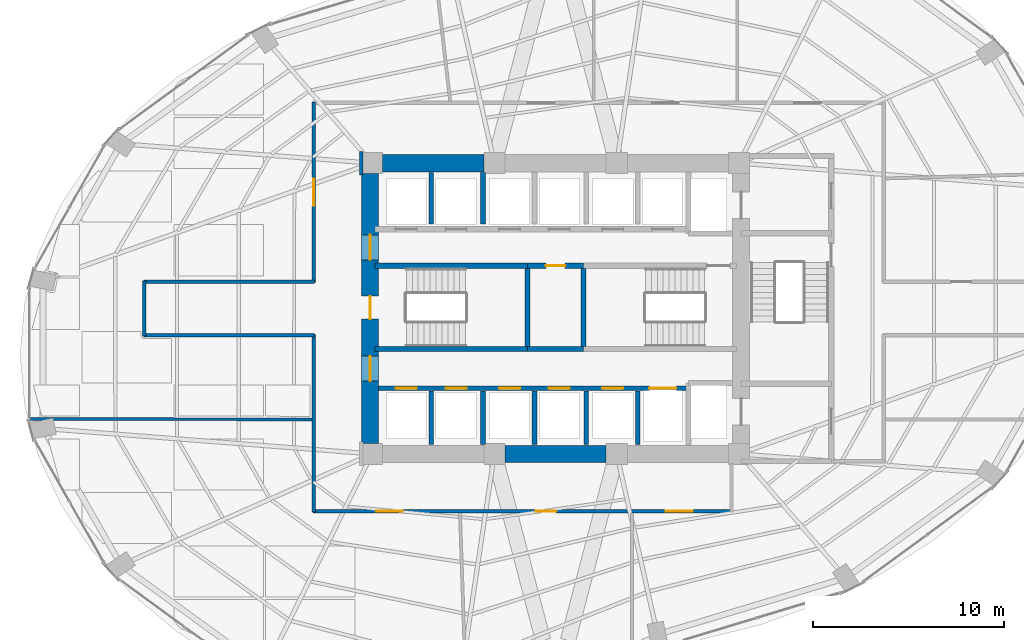
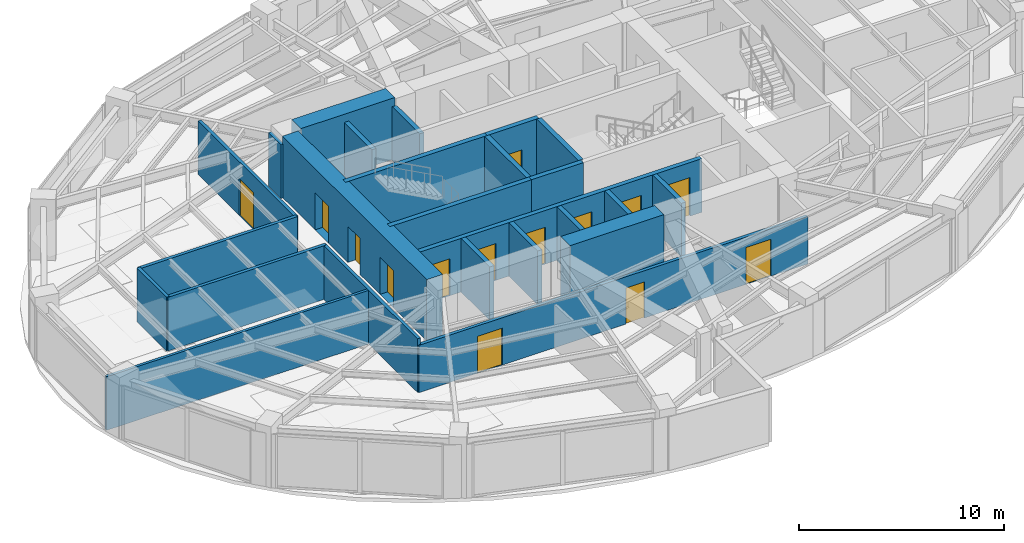
# One storey, part 20 of 24: 25 walls, 14 doors, 14 openings.
"""IFC4 building model written with IfcOpenShell, lengths in metres."""

from ifc_helpers import new_model, si_unit, direction, frame, frame_2d, origin, place, context, subcontext, project, spatial, rectangle, extrude, material, layer, layer_set, type_object, element, fill, save


model = new_model("IFC4")

# Units and contexts
model_context = context("Model", 3, precision=1e-05, world=origin(), true_north=direction((0.0, 1.0)))
body_context = subcontext(model_context, "Body", "Model", "MODEL_VIEW")
ifc_project = project(units=[si_unit("LENGTHUNIT", "METRE"), si_unit("AREAUNIT", "SQUARE_METRE"), si_unit("VOLUMEUNIT", "CUBIC_METRE"), si_unit("PLANEANGLEUNIT", "RADIAN"), si_unit("MASSUNIT", "GRAM", prefix="KILO")], contexts=[model_context])

# Site, building, storey
site_placement = place(None, origin())
site = spatial("IfcSite", under=ifc_project, at=site_placement, CompositionType="ELEMENT")
building_placement = place(site_placement, origin())
building = spatial("IfcBuilding", under=site, at=building_placement, Name="Lazwardi Medical Tower", CompositionType="ELEMENT")
storey_placement = place(building_placement, frame((0.0, 0.0, 72.6240234375)))
storey = spatial("IfcBuildingStorey", under=building, at=storey_placement, Name="L18", CompositionType="ELEMENT", Elevation=72.6240234375)

# Walls
ifc_material_1 = material(Name="Fire-rated gypsum board on steel stud", Category="steel")
ifc_layer_1 = layer(ifc_material_1, 0.179931640625)
ifc_layer_set_1 = layer_set([ifc_layer_1], Name="Fire-rated gypsum board on steel stud")
wall_type_1 = type_object("IfcWallType", Name="WL-COR-180", PredefinedType="PARTITIONING", material=ifc_layer_set_1)
wall_1_placement = place(storey_placement, frame((14.5, 26.56005859375, 0.0), z_axis=(0.0, 0.0, 1.0), x_axis=(0.0, 1.0, 0.0)))
element("IfcWall", 1, at=wall_1_placement, inside=storey, type_object=wall_type_1, Name="L18 Corridor partition 1", PredefinedType="PARTITIONING", context=body_context, shape_type="SweptSolid", body=[
    extrude(rectangle(XDim=2.8798828125, YDim=0.179931640625, at=frame_2d((1.43994140625, 0.0))), origin(), (0.0, 0.0, 1.0), 3.197998046875),
])
wall_2_placement = place(storey_placement, frame((14.4599609375, 29.39990234375, 0.0), z_axis=(0.0, 0.0, 1.0), x_axis=(1.0, 0.0, 0.0)))
element("IfcWall", 2, at=wall_2_placement, inside=storey, type_object=wall_type_1, Name="L18 Corridor partition 2", PredefinedType="PARTITIONING", context=body_context, shape_type="SweptSolid", body=[
    extrude(rectangle(XDim=8.929931640625, YDim=0.179931640625, at=frame_2d((4.46484375, 0.0))), origin(), (0.0, 0.0, 1.0), 3.197998046875),
])

# Wall, opening, door
wall_3_placement = place(storey_placement, frame((23.35009765625, 29.360107421875, 0.0), z_axis=(0.0, 0.0, 1.0), x_axis=(0.0, 1.0, 0.0)))
wall_3 = element("IfcWall", 3, at=wall_3_placement, inside=storey, type_object=wall_type_1, Name="L18 Corridor partition 3", PredefinedType="PARTITIONING", context=body_context, shape_type="SweptSolid", body=[
    extrude(rectangle(XDim=9.429931640625, YDim=0.179931640625, at=frame_2d((4.71484375, 0.0))), origin(), (0.0, 0.0, 1.0), 3.197998046875),
])
opening_1_placement = place(wall_3_placement, frame((4.014892578125, 0.0, 0.0)))
opening_1 = element("IfcOpeningElement", 4, at=opening_1_placement, cuts=wall_3, Name="Opening D-L18-013", PredefinedType="OPENING", context=body_context, shape_type="SweptSolid", body=[
    extrude(rectangle(XDim=1.39990234375, YDim=2.199951171875, at=frame_2d((0.699951171875, 1.10009765625))), frame((0.0, 0.099853515625, 0.0), z_axis=(0.0, -1.0, 0.0), x_axis=(1.0, 0.0, 0.0)), (0.0, 0.0, 1.0), 0.199951171875),
])
ifc_material_2 = material(Name="Anti-microbial laminate hospital leaf")
door_type_1 = type_object("IfcDoorType", Name="DR-BED-1400", OperationType="NOTDEFINED", PredefinedType="DOOR", material=ifc_material_2)
door_1_placement = place(opening_1_placement, origin())
door_1 = element("IfcDoor", 5, at=door_1_placement, inside=storey, type_object=door_type_1, Name="L18 Rehabilitation Gymnasium Door 08", OperationType="SINGLE_SWING_LEFT", OverallHeight=2.199951171875, OverallWidth=1.39990234375, PredefinedType="DOOR", context=body_context, shape_type="SweptSolid", body=[
    extrude(rectangle(XDim=1.39990234375, YDim=2.199951171875, at=frame_2d((0.699951171875, 1.10009765625))), frame((0.0, 0.02490234375, 0.0), z_axis=(0.0, -1.0, 0.0), x_axis=(1.0, 0.0, 0.0)), (0.0, 0.0, 1.0), 0.050048828125),
])
fill(opening_1, door_1)

# Wall
wall_4_placement = place(storey_placement, frame((25.830078125, 36.2099609375, 0.0), z_axis=(0.0, 0.0, 1.0), x_axis=(0.0, -1.0, 0.0)))
element("IfcWall", 6, at=wall_4_placement, inside=storey, type_object=wall_type_1, Name="L18 Corridor partition 12", PredefinedType="PARTITIONING", context=body_context, shape_type="SweptSolid", body=[
    extrude(rectangle(XDim=1.219970703125, YDim=0.179931640625, at=frame_2d((0.60986328125, 0.0))), origin(), (0.0, 0.0, 1.0), 3.197998046875),
])

# Wall, openings, doors
wall_5_placement = place(storey_placement, frame((45.239990234375, 17.39990234375, 0.0), z_axis=(0.0, 0.0, 1.0), x_axis=(-1.0, 0.0, 0.0)))
wall_5 = element("IfcWall", 7, at=wall_5_placement, inside=storey, type_object=wall_type_1, Name="L18 Corridor partition 15", PredefinedType="PARTITIONING", context=body_context, shape_type="SweptSolid", body=[
    extrude(rectangle(XDim=21.929931640625, YDim=0.179931640625, at=frame_2d((10.96484375, 0.0))), origin(), (0.0, 0.0, 1.0), 2.822998046875),
])
opening_2_placement = place(wall_5_placement, frame((17.224609375, 0.0, 0.0)))
opening_2 = element("IfcOpeningElement", 8, at=opening_2_placement, cuts=wall_5, Name="Opening D-L18-006", PredefinedType="OPENING", context=body_context, shape_type="SweptSolid", body=[
    extrude(rectangle(XDim=1.39990234375, YDim=2.199951171875, at=frame_2d((0.699951171875, 1.10009765625))), frame((0.0, 0.099853515625, 0.0), z_axis=(0.0, -1.0, 0.0), x_axis=(1.0, 0.0, 0.0)), (0.0, 0.0, 1.0), 0.199951171875),
])
opening_3_placement = place(wall_5_placement, frame((9.213623046875, 0.0, 0.0)))
opening_3 = element("IfcOpeningElement", 9, at=opening_3_placement, cuts=wall_5, Name="Opening D-L18-007", PredefinedType="OPENING", context=body_context, shape_type="SweptSolid", body=[
    extrude(rectangle(XDim=1.050048828125, YDim=2.14990234375, at=frame_2d((0.52490234375, 1.074951171875))), frame((0.0, 0.099853515625, 0.0), z_axis=(0.0, -1.0, 0.0), x_axis=(1.0, 0.0, 0.0)), (0.0, 0.0, 1.0), 0.199951171875),
])
opening_4_placement = place(wall_5_placement, frame((2.0791015625, 0.0, 0.0)))
opening_4 = element("IfcOpeningElement", 10, at=opening_4_placement, cuts=wall_5, Name="Opening D-L18-008", PredefinedType="OPENING", context=body_context, shape_type="SweptSolid", body=[
    extrude(rectangle(XDim=1.39990234375, YDim=2.199951171875, at=frame_2d((0.699951171875, 1.10009765625))), frame((0.0, 0.099853515625, 0.0), z_axis=(0.0, -1.0, 0.0), x_axis=(1.0, 0.0, 0.0)), (0.0, 0.0, 1.0), 0.199951171875),
])
door_2_placement = place(opening_2_placement, origin())
door_2 = element("IfcDoor", 11, at=door_2_placement, inside=storey, type_object=door_type_1, Name="L18 Rehabilitation Gymnasium Door 01", OperationType="SINGLE_SWING_RIGHT", OverallHeight=2.199951171875, OverallWidth=1.39990234375, PredefinedType="DOOR", context=body_context, shape_type="SweptSolid", body=[
    extrude(rectangle(XDim=1.39990234375, YDim=2.199951171875, at=frame_2d((0.699951171875, 1.10009765625))), frame((0.0, 0.02490234375, 0.0), z_axis=(0.0, -1.0, 0.0), x_axis=(1.0, 0.0, 0.0)), (0.0, 0.0, 1.0), 0.050048828125),
])
fill(opening_2, door_2)
door_3_placement = place(opening_4_placement, origin())
door_3 = element("IfcDoor", 12, at=door_3_placement, inside=storey, type_object=door_type_1, Name="L18 Inpatient Ward Door 03", OperationType="SINGLE_SWING_RIGHT", OverallHeight=2.199951171875, OverallWidth=1.39990234375, PredefinedType="DOOR", context=body_context, shape_type="SweptSolid", body=[
    extrude(rectangle(XDim=1.39990234375, YDim=2.199951171875, at=frame_2d((0.699951171875, 1.10009765625))), frame((0.0, 0.02490234375, 0.0), z_axis=(0.0, -1.0, 0.0), x_axis=(1.0, 0.0, 0.0)), (0.0, 0.0, 1.0), 0.050048828125),
])
fill(opening_4, door_3)
door_type_2 = type_object("IfcDoorType", Name="DR-CLN-1050", OperationType="NOTDEFINED", PredefinedType="DOOR", material=ifc_material_2)
door_4_placement = place(opening_3_placement, origin())
door_4 = element("IfcDoor", 13, at=door_4_placement, inside=storey, type_object=door_type_2, Name="L18 Outpatient Clinic Door 02", OperationType="SINGLE_SWING_LEFT", OverallHeight=2.14990234375, OverallWidth=1.050048828125, PredefinedType="DOOR", context=body_context, shape_type="SweptSolid", body=[
    extrude(rectangle(XDim=1.050048828125, YDim=2.14990234375, at=frame_2d((0.52490234375, 1.074951171875))), frame((0.0, 0.02490234375, 0.0), z_axis=(0.0, -1.0, 0.0), x_axis=(1.0, 0.0, 0.0)), (0.0, 0.0, 1.0), 0.050048828125),
])
fill(opening_3, door_4)

# Walls
wall_6_placement = place(storey_placement, frame((23.35009765625, 17.360107421875, 0.0), z_axis=(0.0, 0.0, 1.0), x_axis=(0.0, 1.0, 0.0)))
element("IfcWall", 14, at=wall_6_placement, inside=storey, type_object=wall_type_1, Name="L18 Corridor partition 16", PredefinedType="PARTITIONING", context=body_context, shape_type="SweptSolid", body=[
    extrude(rectangle(XDim=9.27978515625, YDim=0.179931640625, at=frame_2d((4.639892578125, 0.0))), origin(), (0.0, 0.0, 1.0), 3.197998046875),
])
wall_7_placement = place(storey_placement, frame((23.389892578125, 26.60009765625, 0.0), z_axis=(0.0, 0.0, 1.0), x_axis=(-1.0, 0.0, 0.0)))
element("IfcWall", 15, at=wall_7_placement, inside=storey, type_object=wall_type_1, Name="L18 Corridor partition 17", PredefinedType="PARTITIONING", context=body_context, shape_type="SweptSolid", body=[
    extrude(rectangle(XDim=8.929931640625, YDim=0.179931640625, at=frame_2d((4.46484375, 0.0))), origin(), (0.0, 0.0, 1.0), 3.197998046875),
])

# Wall, openings, doors
ifc_material_3 = material(Name="Concrete C80/95", Category="concrete")
ifc_layer_2 = layer(ifc_material_3, 0.89990234375)
ifc_layer_set_2 = layer_set([ifc_layer_2], Name="Concrete C80/95")
wall_type_2 = type_object("IfcWallType", Name="WL-CORE-900", PredefinedType="SHEAR", material=ifc_layer_set_2)
wall_8_placement = place(storey_placement, frame((26.300048828125, 20.949951171875, 0.0), z_axis=(0.0, 0.0, 1.0), x_axis=(0.0, 1.0, 0.0)))
wall_8 = element("IfcWall", 16, at=wall_8_placement, inside=storey, type_object=wall_type_2, Name="Core wall CW-S1 west L18", PredefinedType="SHEAR", context=body_context, shape_type="SweptSolid", body=[
    extrude(rectangle(XDim=14.10009765625, YDim=0.89990234375, at=frame_2d((7.050048828125, 0.0))), origin(), (0.0, 0.0, 1.0), 3.64794921875),
])
opening_5_placement = place(wall_8_placement, frame((6.5, 0.0, 0.0)))
opening_5 = element("IfcOpeningElement", 17, at=opening_5_placement, cuts=wall_8, Name="Opening D-L18-014", PredefinedType="OPENING", context=body_context, shape_type="SweptSolid", body=[
    extrude(rectangle(XDim=1.199951171875, YDim=2.14990234375, at=frame_2d((0.60009765625, 1.074951171875))), frame((0.0, 0.4599609375, 0.0), z_axis=(0.0, -1.0, 0.0), x_axis=(1.0, 0.0, 0.0)), (0.0, 0.0, 1.0), 0.919921875),
])
opening_6_placement = place(wall_8_placement, frame((9.60009765625, 0.0, 0.0)))
opening_6 = element("IfcOpeningElement", 18, at=opening_6_placement, cuts=wall_8, Name="Opening D-L18-004", PredefinedType="OPENING", context=body_context, shape_type="SweptSolid", body=[
    extrude(rectangle(XDim=1.300048828125, YDim=2.199951171875, at=frame_2d((0.64990234375, 1.10009765625))), frame((0.0, 0.4599609375, 0.0), z_axis=(0.0, -1.0, 0.0), x_axis=(1.0, 0.0, 0.0)), (0.0, 0.0, 1.0), 0.919921875),
])
opening_7_placement = place(wall_8_placement, frame((3.260009765625, 0.0, 0.0)))
opening_7 = element("IfcOpeningElement", 19, at=opening_7_placement, cuts=wall_8, Name="Opening D-L18-005", PredefinedType="OPENING", context=body_context, shape_type="SweptSolid", body=[
    extrude(rectangle(XDim=1.300048828125, YDim=2.199951171875, at=frame_2d((0.64990234375, 1.10009765625))), frame((0.0, 0.4599609375, 0.0), z_axis=(0.0, -1.0, 0.0), x_axis=(1.0, 0.0, 0.0)), (0.0, 0.0, 1.0), 0.919921875),
])
ifc_material_4 = material(Name="Fire-rated steel leaf and frame", Category="steel")
door_type_3 = type_object("IfcDoorType", Name="DR-FFL-1300", OperationType="NOTDEFINED", PredefinedType="DOOR", material=ifc_material_4)
door_5_placement = place(opening_6_placement, origin())
door_5 = element("IfcDoor", 20, at=door_5_placement, inside=storey, type_object=door_type_3, Name="L18 North Lift Lobby Door", OperationType="SINGLE_SWING_LEFT", OverallHeight=2.199951171875, OverallWidth=1.300048828125, PredefinedType="DOOR", context=body_context, shape_type="SweptSolid", body=[
    extrude(rectangle(XDim=1.300048828125, YDim=2.199951171875, at=frame_2d((0.64990234375, 1.10009765625))), frame((0.0, 0.02490234375, 0.0), z_axis=(0.0, -1.0, 0.0), x_axis=(1.0, 0.0, 0.0)), (0.0, 0.0, 1.0), 0.050048828125),
])
fill(opening_6, door_5)
door_6_placement = place(opening_7_placement, origin())
door_6 = element("IfcDoor", 21, at=door_6_placement, inside=storey, type_object=door_type_3, Name="L18 South Lift Lobby Door", OperationType="SINGLE_SWING_RIGHT", OverallHeight=2.199951171875, OverallWidth=1.300048828125, PredefinedType="DOOR", context=body_context, shape_type="SweptSolid", body=[
    extrude(rectangle(XDim=1.300048828125, YDim=2.199951171875, at=frame_2d((0.64990234375, 1.10009765625))), frame((0.0, 0.02490234375, 0.0), z_axis=(0.0, -1.0, 0.0), x_axis=(1.0, 0.0, 0.0)), (0.0, 0.0, 1.0), 0.050048828125),
])
fill(opening_7, door_6)
door_type_4 = type_object("IfcDoorType", Name="DR-STR-1200", OperationType="NOTDEFINED", PredefinedType="DOOR", material=ifc_material_4)
door_7_placement = place(opening_5_placement, origin())
door_7 = element("IfcDoor", 22, at=door_7_placement, inside=storey, type_object=door_type_4, Name="L18 Exit Stair ST1 Door", OperationType="SINGLE_SWING_RIGHT", OverallHeight=2.14990234375, OverallWidth=1.199951171875, PredefinedType="DOOR", context=body_context, shape_type="SweptSolid", body=[
    extrude(rectangle(XDim=1.199951171875, YDim=2.14990234375, at=frame_2d((0.60009765625, 1.074951171875))), frame((0.0, 0.02490234375, 0.0), z_axis=(0.0, -1.0, 0.0), x_axis=(1.0, 0.0, 0.0)), (0.0, 0.0, 1.0), 0.050048828125),
])
fill(opening_5, door_7)

# Walls
wall_9_placement = place(storey_placement, frame((26.949951171875, 35.60009765625, 0.0), z_axis=(0.0, 0.0, 1.0), x_axis=(1.0, 0.0, 0.0)))
element("IfcWall", 23, at=wall_9_placement, inside=storey, type_object=wall_type_2, Name="Core wall CW-S1 N1 L18", PredefinedType="SHEAR", context=body_context, shape_type="SweptSolid", body=[
    extrude(rectangle(XDim=5.300048828125, YDim=0.89990234375, at=frame_2d((2.64990234375, 0.0))), origin(), (0.0, 0.0, 1.0), 3.64794921875),
])
wall_10_placement = place(storey_placement, frame((33.35009765625, 20.39990234375, 0.0), z_axis=(0.0, 0.0, 1.0), x_axis=(1.0, 0.0, 0.0)))
element("IfcWall", 24, at=wall_10_placement, inside=storey, type_object=wall_type_2, Name="Core wall CW-S1 S2 L18", PredefinedType="SHEAR", context=body_context, shape_type="SweptSolid", body=[
    extrude(rectangle(XDim=5.2998046875, YDim=0.89990234375, at=frame_2d((2.64990234375, 0.0))), origin(), (0.0, 0.0, 1.0), 3.64794921875),
])

# Wall, openings, doors
ifc_material_5 = material(Name="Autoclaved aerated concrete blockwork", Category="masonry")
ifc_layer_3 = layer(ifc_material_5, 0.25)
ifc_layer_set_3 = layer_set([ifc_layer_3], Name="Autoclaved aerated concrete blockwork")
wall_type_3 = type_object("IfcWallType", Name="WL-SHAFT-250", PredefinedType="SOLIDWALL", material=ifc_layer_set_3)
wall_11_placement = place(storey_placement, frame((26.75, 23.830078125, 0.0), z_axis=(0.0, 0.0, 1.0), x_axis=(1.0, 0.0, 0.0)))
wall_11 = element("IfcWall", 25, at=wall_11_placement, inside=storey, type_object=wall_type_3, Name="L18 South lift bank front wall", PredefinedType="SOLIDWALL", context=body_context, shape_type="SweptSolid", body=[
    extrude(rectangle(XDim=16.199951171875, YDim=0.25, at=frame_2d((8.10009765625, 0.0))), origin(), (0.0, 0.0, 1.0), 3.197998046875),
])
opening_8_placement = place(wall_11_placement, frame((0.89990234375, 0.0, 0.0)))
opening_8 = element("IfcOpeningElement", 26, at=opening_8_placement, cuts=wall_11, Name="Opening LD-L18-006", PredefinedType="OPENING", context=body_context, shape_type="SweptSolid", body=[
    extrude(rectangle(XDim=1.10009765625, YDim=2.199951171875, at=frame_2d((0.550048828125, 1.10009765625))), frame((0.0, 0.135009765625, 0.0), z_axis=(0.0, -1.0, 0.0), x_axis=(1.0, 0.0, 0.0)), (0.0, 0.0, 1.0), 0.27001953125),
])
opening_9_placement = place(wall_11_placement, frame((3.5, 0.0, 0.0)))
opening_9 = element("IfcOpeningElement", 27, at=opening_9_placement, cuts=wall_11, Name="Opening LD-L18-007", PredefinedType="OPENING", context=body_context, shape_type="SweptSolid", body=[
    extrude(rectangle(XDim=1.10009765625, YDim=2.199951171875, at=frame_2d((0.550048828125, 1.10009765625))), frame((0.0, 0.135009765625, 0.0), z_axis=(0.0, -1.0, 0.0), x_axis=(1.0, 0.0, 0.0)), (0.0, 0.0, 1.0), 0.27001953125),
])
opening_10_placement = place(wall_11_placement, frame((6.300048828125, 0.0, 0.0)))
opening_10 = element("IfcOpeningElement", 28, at=opening_10_placement, cuts=wall_11, Name="Opening LD-L18-010", PredefinedType="OPENING", context=body_context, shape_type="SweptSolid", body=[
    extrude(rectangle(XDim=1.10009765625, YDim=2.199951171875, at=frame_2d((0.550048828125, 1.10009765625))), frame((0.0, 0.135009765625, 0.0), z_axis=(0.0, -1.0, 0.0), x_axis=(1.0, 0.0, 0.0)), (0.0, 0.0, 1.0), 0.27001953125),
])
opening_11_placement = place(wall_11_placement, frame((8.89990234375, 0.0, 0.0)))
opening_11 = element("IfcOpeningElement", 29, at=opening_11_placement, cuts=wall_11, Name="Opening LD-L18-011", PredefinedType="OPENING", context=body_context, shape_type="SweptSolid", body=[
    extrude(rectangle(XDim=1.10009765625, YDim=2.199951171875, at=frame_2d((0.550048828125, 1.10009765625))), frame((0.0, 0.135009765625, 0.0), z_axis=(0.0, -1.0, 0.0), x_axis=(1.0, 0.0, 0.0)), (0.0, 0.0, 1.0), 0.27001953125),
])
opening_12_placement = place(wall_11_placement, frame((11.699951171875, 0.0, 0.0)))
opening_12 = element("IfcOpeningElement", 30, at=opening_12_placement, cuts=wall_11, Name="Opening LD-L18-014", PredefinedType="OPENING", context=body_context, shape_type="SweptSolid", body=[
    extrude(rectangle(XDim=1.10009765625, YDim=2.199951171875, at=frame_2d((0.550048828125, 1.10009765625))), frame((0.0, 0.135009765625, 0.0), z_axis=(0.0, -1.0, 0.0), x_axis=(1.0, 0.0, 0.0)), (0.0, 0.0, 1.0), 0.27001953125),
])
opening_13_placement = place(wall_11_placement, frame((14.14990234375, 0.0, 0.0)))
opening_13 = element("IfcOpeningElement", 31, at=opening_13_placement, cuts=wall_11, Name="Opening LD-L18-003", PredefinedType="OPENING", context=body_context, shape_type="SweptSolid", body=[
    extrude(rectangle(XDim=1.39990234375, YDim=2.300048828125, at=frame_2d((0.699951171875, 1.14990234375))), frame((0.0, 0.135009765625, 0.0), z_axis=(0.0, -1.0, 0.0), x_axis=(1.0, 0.0, 0.0)), (0.0, 0.0, 1.0), 0.27001953125),
])
ifc_material_6 = material(Name="Brushed bronze stainless steel landing door", Category="steel")
door_type_5 = type_object("IfcDoorType", Name="DR-LFT-1100", OperationType="NOTDEFINED", PredefinedType="DOOR", material=ifc_material_6)
door_8_placement = place(opening_8_placement, origin())
door_8 = element("IfcDoor", 32, at=door_8_placement, inside=storey, type_object=door_type_5, Name="L18 Lift Landing Door PL-03", OperationType="SLIDING_TO_LEFT", OverallHeight=2.199951171875, OverallWidth=1.10009765625, PredefinedType="DOOR", context=body_context, shape_type="SweptSolid", body=[
    extrude(rectangle(XDim=1.10009765625, YDim=2.199951171875, at=frame_2d((0.550048828125, 1.10009765625))), frame((0.0, 0.02490234375, 0.0), z_axis=(0.0, -1.0, 0.0), x_axis=(1.0, 0.0, 0.0)), (0.0, 0.0, 1.0), 0.050048828125),
])
fill(opening_8, door_8)
door_9_placement = place(opening_9_placement, origin())
door_9 = element("IfcDoor", 33, at=door_9_placement, inside=storey, type_object=door_type_5, Name="L18 Lift Landing Door PL-04", OperationType="SLIDING_TO_LEFT", OverallHeight=2.199951171875, OverallWidth=1.10009765625, PredefinedType="DOOR", context=body_context, shape_type="SweptSolid", body=[
    extrude(rectangle(XDim=1.10009765625, YDim=2.199951171875, at=frame_2d((0.550048828125, 1.10009765625))), frame((0.0, 0.02490234375, 0.0), z_axis=(0.0, -1.0, 0.0), x_axis=(1.0, 0.0, 0.0)), (0.0, 0.0, 1.0), 0.050048828125),
])
fill(opening_9, door_9)
door_10_placement = place(opening_10_placement, origin())
door_10 = element("IfcDoor", 34, at=door_10_placement, inside=storey, type_object=door_type_5, Name="L18 Lift Landing Door PL-07", OperationType="SLIDING_TO_LEFT", OverallHeight=2.199951171875, OverallWidth=1.10009765625, PredefinedType="DOOR", context=body_context, shape_type="SweptSolid", body=[
    extrude(rectangle(XDim=1.10009765625, YDim=2.199951171875, at=frame_2d((0.550048828125, 1.10009765625))), frame((0.0, 0.02490234375, 0.0), z_axis=(0.0, -1.0, 0.0), x_axis=(1.0, 0.0, 0.0)), (0.0, 0.0, 1.0), 0.050048828125),
])
fill(opening_10, door_10)
door_11_placement = place(opening_11_placement, origin())
door_11 = element("IfcDoor", 35, at=door_11_placement, inside=storey, type_object=door_type_5, Name="L18 Lift Landing Door PL-08", OperationType="SLIDING_TO_LEFT", OverallHeight=2.199951171875, OverallWidth=1.10009765625, PredefinedType="DOOR", context=body_context, shape_type="SweptSolid", body=[
    extrude(rectangle(XDim=1.10009765625, YDim=2.199951171875, at=frame_2d((0.550048828125, 1.10009765625))), frame((0.0, 0.02490234375, 0.0), z_axis=(0.0, -1.0, 0.0), x_axis=(1.0, 0.0, 0.0)), (0.0, 0.0, 1.0), 0.050048828125),
])
fill(opening_11, door_11)
door_12_placement = place(opening_12_placement, origin())
door_12 = element("IfcDoor", 36, at=door_12_placement, inside=storey, type_object=door_type_5, Name="L18 Lift Landing Door PL-11", OperationType="SLIDING_TO_LEFT", OverallHeight=2.199951171875, OverallWidth=1.10009765625, PredefinedType="DOOR", context=body_context, shape_type="SweptSolid", body=[
    extrude(rectangle(XDim=1.10009765625, YDim=2.199951171875, at=frame_2d((0.550048828125, 1.10009765625))), frame((0.0, 0.02490234375, 0.0), z_axis=(0.0, -1.0, 0.0), x_axis=(1.0, 0.0, 0.0)), (0.0, 0.0, 1.0), 0.050048828125),
])
fill(opening_12, door_12)
ifc_material_7 = material(Name="Brushed stainless steel bed-lift landing door", Category="steel")
door_type_6 = type_object("IfcDoorType", Name="DR-LFT-1400", OperationType="NOTDEFINED", PredefinedType="DOOR", material=ifc_material_7)
door_13_placement = place(opening_13_placement, origin())
door_13 = element("IfcDoor", 37, at=door_13_placement, inside=storey, type_object=door_type_6, Name="L18 Lift Landing Door FL-03", OperationType="SLIDING_TO_LEFT", OverallHeight=2.300048828125, OverallWidth=1.39990234375, PredefinedType="DOOR", context=body_context, shape_type="SweptSolid", body=[
    extrude(rectangle(XDim=1.39990234375, YDim=2.300048828125, at=frame_2d((0.699951171875, 1.14990234375))), frame((0.0, 0.02490234375, 0.0), z_axis=(0.0, -1.0, 0.0), x_axis=(1.0, 0.0, 0.0)), (0.0, 0.0, 1.0), 0.050048828125),
])
fill(opening_13, door_13)

# Walls
wall_12_placement = place(storey_placement, frame((29.5, 32.419921875, 0.0), z_axis=(0.0, 0.0, 1.0), x_axis=(0.0, 1.0, 0.0)))
element("IfcWall", 38, at=wall_12_placement, inside=storey, type_object=wall_type_3, Name="L18 North hoistway divider", PredefinedType="SOLIDWALL", context=body_context, shape_type="SweptSolid", body=[
    extrude(rectangle(XDim=2.68017578125, YDim=0.25, at=frame_2d((1.340087890625, 0.0))), origin(), (0.0, 0.0, 1.0), 3.197998046875),
])
wall_13_placement = place(storey_placement, frame((29.5, 20.89990234375, 0.0), z_axis=(0.0, 0.0, 1.0), x_axis=(0.0, 1.0, 0.0)))
element("IfcWall", 39, at=wall_13_placement, inside=storey, type_object=wall_type_3, Name="L18 South hoistway divider", PredefinedType="SOLIDWALL", context=body_context, shape_type="SweptSolid", body=[
    extrude(rectangle(XDim=2.800048828125, YDim=0.25, at=frame_2d((1.39990234375, 0.0))), origin(), (0.0, 0.0, 1.0), 3.197998046875),
])
wall_14_placement = place(storey_placement, frame((32.199951171875, 32.419921875, 0.0), z_axis=(0.0, 0.0, 1.0), x_axis=(0.0, 1.0, 0.0)))
element("IfcWall", 40, at=wall_14_placement, inside=storey, type_object=wall_type_3, Name="L18 North hoistway divider", PredefinedType="SOLIDWALL", context=body_context, shape_type="SweptSolid", body=[
    extrude(rectangle(XDim=2.68017578125, YDim=0.25, at=frame_2d((1.340087890625, 0.0))), origin(), (0.0, 0.0, 1.0), 3.197998046875),
])
for number, where, z_axis, x_axis, name in (
    (41, (32.199951171875, 20.89990234375, 0.0), (0.0, 0.0, 1.0), (0.0, 1.0, 0.0), "L18 South hoistway divider"),
    (42, (34.89990234375, 20.89990234375, 0.0), (0.0, 0.0, 1.0), (0.0, 1.0, 0.0), "L18 South hoistway divider"),
    (43, (37.60009765625, 20.89990234375, 0.0), (0.0, 0.0, 1.0), (0.0, 1.0, 0.0), "L18 South hoistway divider"),
    (44, (40.300048828125, 20.89990234375, 0.0), (0.0, 0.0, 1.0), (0.0, 1.0, 0.0), "L18 South hoistway divider"),
):
    element("IfcWall", number, at=place(storey_placement, frame(where, z_axis=z_axis, x_axis=x_axis)), inside=storey, type_object=wall_type_3, Name=name, PredefinedType="SOLIDWALL", context=body_context, shape_type="SweptSolid", body=[
        extrude(rectangle(XDim=2.800048828125, YDim=0.25, at=frame_2d((1.39990234375, 0.0))), origin(), (0.0, 0.0, 1.0), 3.197998046875),
    ])
ifc_material_8 = material(Name="Concrete C50/60", Category="concrete")
ifc_layer_4 = layer(ifc_material_8, 0.27001953125)
ifc_layer_set_4 = layer_set([ifc_layer_4], Name="Concrete C50/60")
wall_type_4 = type_object("IfcWallType", Name="WL-STR-250", PredefinedType="SHEAR", material=ifc_layer_set_4)
wall_15_placement = place(storey_placement, frame((26.550048828125, 30.235107421875, 0.0), z_axis=(0.0, 0.0, 1.0), x_axis=(1.0, 0.0, 0.0)))
element("IfcWall", 45, at=wall_15_placement, inside=storey, type_object=wall_type_4, Name="L18 ST1 North shear shaft wall SW-S1", PredefinedType="SHEAR", context=body_context, shape_type="SweptSolid", body=[
    extrude(rectangle(XDim=7.98486328125, YDim=0.27001953125, at=frame_2d((3.992431640625, 0.0))), origin(), (0.0, 0.0, 1.0), 3.64794921875),
])

# Wall, opening, door
wall_16_placement = place(storey_placement, frame((34.534912109375, 30.235107421875, 0.0), z_axis=(0.0, 0.0, 1.0), x_axis=(1.0, 0.0, 0.0)))
wall_16 = element("IfcWall", 46, at=wall_16_placement, inside=storey, type_object=wall_type_4, Name="L18 Core service North shear wall SW-S1", PredefinedType="SHEAR", context=body_context, shape_type="SweptSolid", body=[
    extrude(rectangle(XDim=2.93017578125, YDim=0.27001953125, at=frame_2d((1.465087890625, 0.0))), origin(), (0.0, 0.0, 1.0), 3.64794921875),
])
opening_14_placement = place(wall_16_placement, frame((0.965087890625, 0.0, 0.0)))
opening_14 = element("IfcOpeningElement", 47, at=opening_14_placement, cuts=wall_16, Name="Opening D-L18-001", PredefinedType="OPENING", context=body_context, shape_type="SweptSolid", body=[
    extrude(rectangle(XDim=1.0, YDim=2.10009765625, at=frame_2d((0.5, 1.050048828125))), frame((0.0, 0.14501953125, 0.0), z_axis=(0.0, -1.0, 0.0), x_axis=(1.0, 0.0, 0.0)), (0.0, 0.0, 1.0), 0.2900390625),
])
ifc_material_9 = material(Name="Moisture-resistant laminate door leaf")
door_type_7 = type_object("IfcDoorType", Name="DR-AWC-1000", OperationType="NOTDEFINED", PredefinedType="DOOR", material=ifc_material_9)
door_14_placement = place(opening_14_placement, origin())
door_14 = element("IfcDoor", 48, at=door_14_placement, inside=storey, type_object=door_type_7, Name="L18 Accessible WC Door", OperationType="SINGLE_SWING_RIGHT", OverallHeight=2.10009765625, OverallWidth=1.0, PredefinedType="DOOR", context=body_context, shape_type="SweptSolid", body=[
    extrude(rectangle(XDim=1.0, YDim=2.10009765625, at=frame_2d((0.5, 1.050048828125))), frame((0.0, 0.02490234375, 0.0), z_axis=(0.0, -1.0, 0.0), x_axis=(1.0, 0.0, 0.0)), (0.0, 0.0, 1.0), 0.050048828125),
])
fill(opening_14, door_14)

# Walls
wall_17_placement = place(storey_placement, frame((26.550048828125, 25.885009765625, 0.0), z_axis=(0.0, 0.0, 1.0), x_axis=(1.0, 0.0, 0.0)))
element("IfcWall", 49, at=wall_17_placement, inside=storey, type_object=wall_type_4, Name="L18 ST1 South shear shaft wall SW-S1", PredefinedType="SHEAR", context=body_context, shape_type="SweptSolid", body=[
    extrude(rectangle(XDim=7.98486328125, YDim=0.27001953125, at=frame_2d((3.992431640625, 0.0))), origin(), (0.0, 0.0, 1.0), 3.64794921875),
])
wall_18_placement = place(storey_placement, frame((34.534912109375, 25.885009765625, 0.0), z_axis=(0.0, 0.0, 1.0), x_axis=(1.0, 0.0, 0.0)))
element("IfcWall", 50, at=wall_18_placement, inside=storey, type_object=wall_type_4, Name="L18 Core service South shear wall SW-S1", PredefinedType="SHEAR", context=body_context, shape_type="SweptSolid", body=[
    extrude(rectangle(XDim=2.93017578125, YDim=0.27001953125, at=frame_2d((1.465087890625, 0.0))), origin(), (0.0, 0.0, 1.0), 3.64794921875),
])
for number, where, z_axis, x_axis, name in (
    (51, (34.534912109375, 26.02001953125, 0.0), (0.0, 0.0, 1.0), (0.0, 1.0, 0.0), "L18 ST1 East shear shaft wall SW-S1"),
    (52, (37.465087890625, 26.02001953125, 0.0), (0.0, 0.0, 1.0), (0.0, 1.0, 0.0), "L18 ST2 West shear shaft wall SW-S1"),
):
    element("IfcWall", number, at=place(storey_placement, frame(where, z_axis=z_axis, x_axis=x_axis)), inside=storey, type_object=wall_type_4, Name=name, PredefinedType="SHEAR", context=body_context, shape_type="SweptSolid", body=[
        extrude(rectangle(XDim=4.080078125, YDim=0.27001953125, at=frame_2d((2.0400390625, 0.0))), origin(), (0.0, 0.0, 1.0), 3.64794921875),
    ])
ifc_material_10 = material(Name="Acoustic gypsum board partition")
ifc_layer_5 = layer(ifc_material_10, 0.14990234375)
ifc_layer_set_5 = layer_set([ifc_layer_5], Name="Acoustic gypsum board partition")
wall_type_5 = type_object("IfcWallType", Name="WL-WRD-150", PredefinedType="PARTITIONING", material=ifc_layer_set_5)
wall_19_placement = place(storey_placement, frame((8.492919921875, 22.2314453125, 0.0), z_axis=(0.0, 0.0, 1.0), x_axis=(0.999997760873, -0.002116187438, 0.0)))
element("IfcWall", 53, at=wall_19_placement, inside=storey, type_object=wall_type_5, Name="L18 Room partition 1", PredefinedType="PARTITIONING", context=body_context, shape_type="SweptSolid", body=[
    extrude(rectangle(XDim=14.76708984375, YDim=0.14990234375, at=frame_2d((7.383544921875, 0.0))), origin(), (0.0, 0.0, 1.0), 3.197998046875),
])

save(model, "model.ifc")
